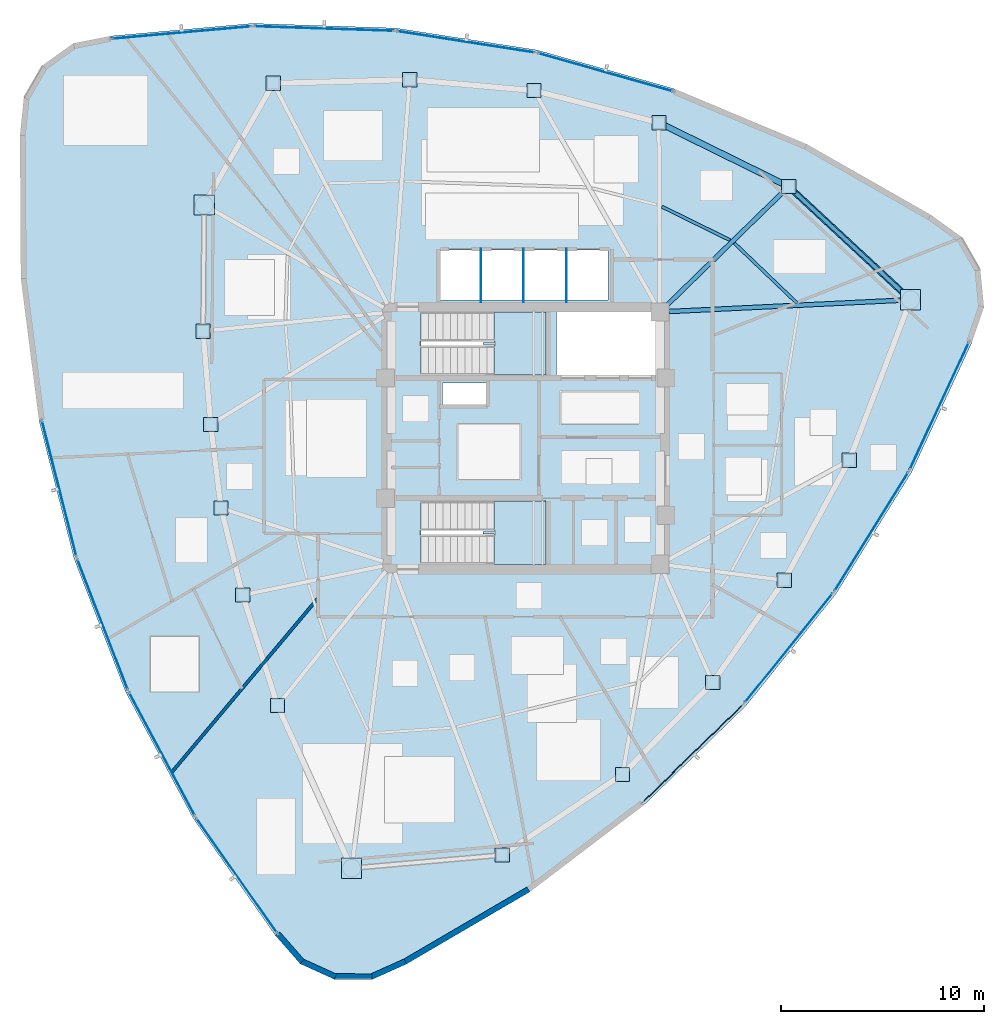
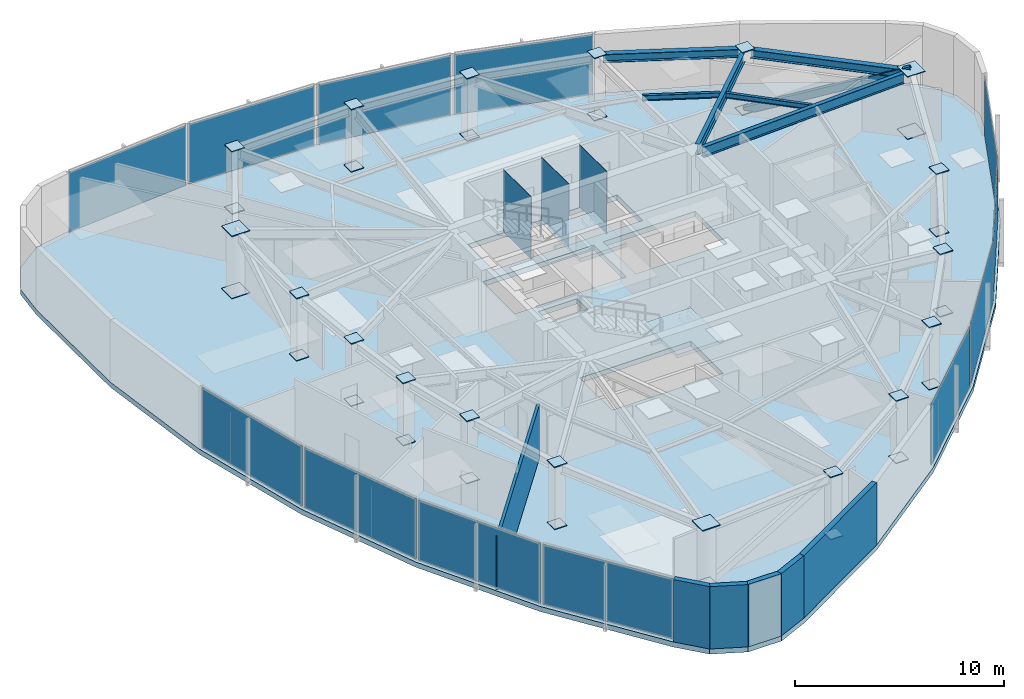
# One storey, part 7 of 13: 51 plates, 6 beams, 6 walls, 3 slabs, 1 member, 14 elements without a shape of their own.
"""IFC4 building model written with IfcOpenShell, lengths in metres."""

from ifc_helpers import new_model, si_unit, direction, frame, frame_2d, origin, origin_2d, place, context, subcontext, project, spatial, polyline, rectangle, hollow_rectangle, i_section, outline, extrude, source, transform, mapped, material, layer, layer_set, material_profile, profile_set, type_object, type_shapes, element, aggregate, save


model = new_model("IFC4")

# Units and contexts
model_context = context("Model", 3, precision=1e-05, world=origin(), true_north=direction((0.0, 1.0)))
body_context = subcontext(model_context, "Body", "Model", "MODEL_VIEW")
ifc_project = project(units=[si_unit("LENGTHUNIT", "METRE"), si_unit("AREAUNIT", "SQUARE_METRE"), si_unit("VOLUMEUNIT", "CUBIC_METRE"), si_unit("PLANEANGLEUNIT", "RADIAN"), si_unit("MASSUNIT", "GRAM", prefix="KILO")], contexts=[model_context])

# Site, building, storey
site_placement = place(None, origin())
site = spatial("IfcSite", under=ifc_project, at=site_placement, CompositionType="ELEMENT")
building_placement = place(site_placement, origin())
building = spatial("IfcBuilding", under=site, at=building_placement, Name="Tavelor Broadcast Tower", CompositionType="ELEMENT")
storey_placement = place(building_placement, frame((0.0, 0.0, 241.89990234375)))
storey = spatial("IfcBuildingStorey", under=building, at=storey_placement, Name="L57", CompositionType="ELEMENT", Elevation=241.89990234375)

# Beams
ifc_material_1 = material(Name="Steel S355", Category="steel")
ifc_material_profile_1 = material_profile(ifc_material_1, i_section(OverallWidth=0.14990234375, OverallDepth=0.300048828125, WebThickness=0.007080078125, FlangeThickness=0.0107421875, at=origin_2d()), Name="IPE 300")
ifc_profile_set_1 = profile_set([ifc_material_profile_1], Name="Steel S355")
beam_type_1 = type_object("IfcBeamType", Name="Composite Floor Joist T5 IPE 300", PredefinedType="JOIST", material=ifc_profile_set_1)
beam_1_placement = place(storey_placement, frame((63.3427734375, 51.629150390625, 3.5), z_axis=(-0.722407874214, 0.691467181632, 0.0), x_axis=(-0.691467181632, -0.722407874214, 0.0)))
element("IfcBeam", 1, at=beam_1_placement, inside=storey, type_object=beam_type_1, Name="L57 Secondary Composite Floor Joist 13", PredefinedType="JOIST", context=body_context, shape_type="SweptSolid", body=[
    extrude(i_section(OverallWidth=0.14990234375, OverallDepth=0.300048828125, WebThickness=0.007080078125, FlangeThickness=0.0107421875, at=origin_2d()), origin(), (0.0, 0.0, 1.0), 4.260986328125),
])
beam_2_placement = place(storey_placement, frame((60.038818359375, 54.7333984375, 3.5), z_axis=(-0.897394619692, 0.441228848272, 0.0), x_axis=(-0.441228848272, -0.897394619692, 0.0)))
element("IfcBeam", 2, at=beam_2_placement, inside=storey, type_object=beam_type_1, Name="L57 Secondary Composite Floor Joist 14", PredefinedType="JOIST", context=body_context, shape_type="SweptSolid", body=[
    extrude(i_section(OverallWidth=0.14990234375, OverallDepth=0.300048828125, WebThickness=0.007080078125, FlangeThickness=0.0107421875, at=origin_2d()), origin(), (0.0, 0.0, 1.0), 3.7265625),
])
ifc_material_profile_2 = material_profile(ifc_material_1, i_section(OverallWidth=0.300048828125, OverallDepth=0.489990234375, WebThickness=0.011962890625, FlangeThickness=0.02294921875, at=origin_2d()), Name="HEA 500")
ifc_profile_set_2 = profile_set([ifc_material_profile_2], Name="Steel S355")
beam_type_2 = type_object("IfcBeamType", Name="Perimeter Spandrel Beam T5 HEA 500", PredefinedType="SPANDREL", material=ifc_profile_set_2)
beam_3_placement = place(storey_placement, frame((68.59814453125, 52.09765625, 3.405029296875), z_axis=(-0.732770151307, 0.680476234231, 0.0), x_axis=(-0.680476234231, -0.732770151307, 0.0)))
element("IfcBeam", 3, at=beam_3_placement, inside=storey, type_object=beam_type_2, Name="L57 Framed-Tube Ring Spandrel 13", PredefinedType="SPANDREL", context=body_context, shape_type="SweptSolid", body=[
    extrude(i_section(OverallWidth=0.300048828125, OverallDepth=0.489990234375, WebThickness=0.011962890625, FlangeThickness=0.02294921875, at=origin_2d()), origin(), (0.0, 0.0, 1.0), 7.451171875),
])
beam_4_placement = place(storey_placement, frame((62.668701171875, 57.4912109375, 3.405029296875), z_axis=(-0.897262651787, 0.441497150284, 0.0), x_axis=(-0.441497150284, -0.897262651787, 0.0)))
element("IfcBeam", 4, at=beam_4_placement, inside=storey, type_object=beam_type_2, Name="L57 Framed-Tube Ring Spandrel 14", PredefinedType="SPANDREL", context=body_context, shape_type="SweptSolid", body=[
    extrude(i_section(OverallWidth=0.300048828125, OverallDepth=0.489990234375, WebThickness=0.011962890625, FlangeThickness=0.02294921875, at=origin_2d()), origin(), (0.0, 0.0, 1.0), 6.536376953125),
])

# Member
ifc_material_profile_3 = material_profile(ifc_material_1, hollow_rectangle(XDim=0.199951171875, YDim=0.39990234375, WallThickness=0.01611328125, at=origin_2d()), Name="RHS 400x200x16")
ifc_profile_set_3 = profile_set([ifc_material_profile_3], Name="Steel S355")
member_type = type_object("IfcMemberType", Name="Perimeter Tube Brace T5 RHS 400x200x16", PredefinedType="BRACE", material=ifc_profile_set_3)
member_placement = place(storey_placement, frame((62.92724609375, 57.364013671875, 0.0), z_axis=(0.669132570724, -0.621397751765, 0.407586109794), x_axis=(0.680486595916, 0.732760528944, 0.0)))
element("IfcMember", 5, at=member_placement, inside=storey, type_object=member_type, Name="L57 Corner Tube Diagonal Brace 3", PredefinedType="BRACE", context=body_context, shape_type="SweptSolid", body=[
    extrude(hollow_rectangle(XDim=0.199951171875, YDim=0.39990234375, WallThickness=0.01611328125, at=origin_2d()), origin(), (0.0, 0.0, 1.0), 8.95556640625),
])

# Beams
ifc_material_profile_4 = material_profile(ifc_material_1, i_section(OverallWidth=0.219970703125, OverallDepth=0.60009765625, WebThickness=0.011962890625, FlangeThickness=0.01904296875, at=origin_2d()), Name="IPE 600")
ifc_profile_set_4 = profile_set([ifc_material_profile_4], Name="Steel S355")
beam_type_3 = type_object("IfcBeamType", Name="Radial Floor Girder T5 IPE 600", PredefinedType="BEAM", material=ifc_profile_set_4)
beam_5_placement = place(storey_placement, frame((57.031494140625, 51.220947265625, 3.35009765625), z_axis=(0.998819342989, 0.048579008537, 0.0), x_axis=(-0.048579008537, 0.998819342989, 0.0)))
element("IfcBeam", 6, at=beam_5_placement, inside=storey, type_object=beam_type_3, Name="L57 Radial Primary Floor Girder 13", PredefinedType="BEAM", context=body_context, shape_type="SweptSolid", body=[
    extrude(i_section(OverallWidth=0.219970703125, OverallDepth=0.60009765625, WebThickness=0.011962890625, FlangeThickness=0.01904296875, at=origin_2d()), origin(), (0.0, 0.0, 1.0), 11.46337890625),
])
beam_6_placement = place(storey_placement, frame((56.909423828125, 51.50146484375, 3.35009765625), z_axis=(0.716299388852, 0.697793082175, 0.0), x_axis=(-0.697793082175, 0.716299388852, 0.0)))
element("IfcBeam", 7, at=beam_6_placement, inside=storey, type_object=beam_type_3, Name="L57 Radial Primary Floor Girder 14", PredefinedType="BEAM", context=body_context, shape_type="SweptSolid", body=[
    extrude(i_section(OverallWidth=0.219970703125, OverallDepth=0.60009765625, WebThickness=0.011962890625, FlangeThickness=0.01904296875, at=origin_2d()), origin(), (0.0, 0.0, 1.0), 8.11328125),
])

# Stair, slab
ifc_material_2 = material(Name="Concrete C40/50", Category="concrete")
stair_type = type_object("IfcStairType", Name="Reinforced Concrete Protected Dogleg Stair 1450 mm", PredefinedType="HALF_TURN_STAIR", material=ifc_material_2)
stair_1_placement = place(storey_placement, origin())
stair_1 = element("IfcStair", 8, at=stair_1_placement, inside=storey, type_object=stair_type, Name="L57 Protected Core Exit Stair ST1", PredefinedType="HALF_TURN_STAIR")
ifc_layer_1 = layer(ifc_material_2, 0.199951171875)
ifc_layer_set_1 = layer_set([ifc_layer_1], Name="Concrete C40/50")
slab_type_1 = type_object("IfcSlabType", Name="Reinforced Concrete Stair Half-Landing Slab 200 mm", PredefinedType="LANDING", material=ifc_layer_set_1)
slab_1_placement = place(storey_placement, frame((0.0, 0.0, 1.775146484375)))
slab_1 = element("IfcSlab", 9, at=slab_1_placement, type_object=slab_type_1, Name="ST1 landing 1", PredefinedType="LANDING", context=body_context, shape_type="SweptSolid", body=[
    extrude(outline(polyline([(48.445068359375, 49.590087890625), (48.445068359375, 48.094970703125), (51.0048828125, 48.094970703125), (51.0048828125, 51.205078125), (48.445068359375, 51.205078125), (48.445068359375, 49.7099609375), (47.905029296875, 49.7099609375), (47.905029296875, 49.590087890625), (48.445068359375, 49.590087890625)])), origin(), (0.0, 0.0, 1.0), 0.199951171875),
])
aggregate(stair_1, [slab_1])

stair_2_placement = place(storey_placement, origin())
stair_2 = element("IfcStair", 10, at=stair_2_placement, inside=storey, type_object=stair_type, Name="L57 Protected Core Exit Stair ST2", PredefinedType="HALF_TURN_STAIR")
slab_2_placement = place(storey_placement, frame((0.0, 0.0, 1.775146484375)))
slab_2 = element("IfcSlab", 11, at=slab_2_placement, type_object=slab_type_1, Name="ST2 landing 1", PredefinedType="LANDING", context=body_context, shape_type="SweptSolid", body=[
    extrude(outline(polyline([(48.445068359375, 40.2900390625), (48.445068359375, 38.794921875), (51.0048828125, 38.794921875), (51.0048828125, 41.905029296875), (48.445068359375, 41.905029296875), (48.445068359375, 40.409912109375), (47.905029296875, 40.409912109375), (47.905029296875, 40.2900390625), (48.445068359375, 40.2900390625)])), origin(), (0.0, 0.0, 1.0), 0.199951171875),
])
aggregate(stair_2, [slab_2])

# Slab
ifc_layer_2 = layer(ifc_material_2, 0.300048828125)
ifc_layer_set_2 = layer_set([ifc_layer_2], Name="Concrete C40/50")
slab_type_2 = type_object("IfcSlabType", Name="Tower Composite Floor Slab 300 mm", PredefinedType="FLOOR", material=ifc_layer_set_2)
slab_3_placement = place(storey_placement, frame((0.0, 0.0, -0.2998046875)))
element("IfcSlab", 12, at=slab_3_placement, inside=storey, type_object=slab_type_2, Name="L57 Structural Floor Slab", PredefinedType="FLOOR", context=body_context, shape_type="SweptSolid", body=[
    extrude(outline(polyline([(29.572021484375, 64.764892578125), (27.75927734375, 64.404296875), (26.255859375, 63.329833984375), (25.32763671875, 61.731689453125), (25.13916015625, 59.893310546875), (25.178955078125, 52.859375), (26.069580078125, 45.8818359375), (27.798095703125, 39.0634765625), (30.339111328125, 32.504150390625), (33.65478515625, 26.300537109375), (37.697265625, 20.5439453125), (38.915771484375, 19.154541015625), (40.597900390625, 18.3896484375), (42.446044921875, 18.384765625), (44.13232421875, 19.140869140625), (50.2041015625, 22.6923828125), (55.801513671875, 26.952392578125), (60.84228515625, 31.858642578125), (65.252197265625, 37.338623046875), (68.966796875, 43.31201171875), (71.930908203125, 49.691162109375), (72.52490234375, 51.441162109375), (72.34619140625, 53.280517578125), (71.426513671875, 54.88330078125), (69.928466796875, 55.9658203125), (63.81689453125, 59.4482421875), (57.328857421875, 62.165771484375), (50.559814453125, 64.078125), (43.60888671875, 65.1572265625), (36.578369140625, 65.38720703125), (29.572021484375, 64.764892578125)]), holes=[polyline([(50.99609375, 41.89599609375), (50.99609375, 38.803955078125), (44.85400390625, 38.803955078125), (44.85400390625, 41.89599609375), (50.99609375, 41.89599609375)]), polyline([(48.050048828125, 47.699951171875), (48.050048828125, 46.64990234375), (45.89990234375, 46.64990234375), (45.89990234375, 47.699951171875), (48.050048828125, 47.699951171875)]), polyline([(50.99609375, 51.196044921875), (50.99609375, 48.10400390625), (44.85400390625, 48.10400390625), (44.85400390625, 51.196044921875), (50.99609375, 51.196044921875)]), polyline([(56.60009765625, 48.10009765625), (51.52001953125, 48.10009765625), (51.52001953125, 51.199951171875), (56.60009765625, 51.199951171875), (56.60009765625, 48.10009765625)]), polyline([(54.050048828125, 51.800048828125), (45.800048828125, 51.800048828125), (45.800048828125, 54.25), (54.050048828125, 54.25), (54.050048828125, 51.800048828125)])]), origin(), (0.0, 0.0, 1.0), 0.2998046875),
])

# Plates
ifc_material_3 = material(Name="Steel S460", Category="steel")
ifc_layer_3 = layer(ifc_material_3, 0.050048828125)
ifc_layer_set_3 = layer_set([ifc_layer_3], Name="Steel S460")
plate_type_1 = type_object("IfcPlateType", Name="Tube Hollow-End Cap Plate KN05 700x700x50", PredefinedType="USERDEFINED", material=ifc_layer_set_3)
shared_shape_1 = source(origin(), body_context, "Body", "SweptSolid", [
    extrude(rectangle(XDim=0.699951171875, YDim=0.699951171875, at=origin_2d()), origin(), (0.0, 0.0, 1.0), 0.054931640625),
])
for number, where, z_axis, x_axis, name in (
    (13, (34.13720703125, 50.255859375, -0.02734375), (0.0, 0.0, 1.0), (1.0, 0.0, 0.0), "L57 Hollow End Cap Plate KN05 #1671"),
    (14, (34.13720703125, 50.255859375, 3.62255859375), (0.0, 0.0, 1.0), (1.0, 0.0, 0.0), "L57 Hollow End Cap Plate KN05 #1672"),
    (15, (34.513671875, 45.66455078125, -0.02734375), (0.0, 0.0, 1.0), (1.0, 0.0, 0.0), "L57 Hollow End Cap Plate KN05 #1673"),
    (16, (34.513671875, 45.66455078125, 3.62255859375), (0.0, 0.0, 1.0), (1.0, 0.0, 0.0), "L57 Hollow End Cap Plate KN05 #1674"),
    (17, (35.018798828125, 41.56396484375, -0.02734375), (0.0, 0.0, 1.0), (1.0, 0.0, 0.0), "L57 Hollow End Cap Plate KN05 #1675"),
    (18, (35.018798828125, 41.56396484375, 3.62255859375), (0.0, 0.0, 1.0), (1.0, 0.0, 0.0), "L57 Hollow End Cap Plate KN05 #1676"),
    (19, (36.08349609375, 37.2822265625, -0.02734375), (0.0, 0.0, 1.0), (1.0, 0.0, 0.0), "L57 Hollow End Cap Plate KN05 #1677"),
    (20, (36.08349609375, 37.2822265625, 3.62255859375), (0.0, 0.0, 1.0), (1.0, 0.0, 0.0), "L57 Hollow End Cap Plate KN05 #1678"),
    (21, (37.797119140625, 31.853271484375, -0.02734375), (0.0, 0.0, 1.0), (1.0, 0.0, 0.0), "L57 Hollow End Cap Plate KN05 #1679"),
    (22, (37.797119140625, 31.853271484375, 3.62255859375), (0.0, 0.0, 1.0), (1.0, 0.0, 0.0), "L57 Hollow End Cap Plate KN05 #1680"),
    (23, (48.843994140625, 24.5048828125, -0.02734375), (0.0, 0.0, 1.0), (1.0, 0.0, 0.0), "L57 Hollow End Cap Plate KN05 #1683"),
    (24, (48.843994140625, 24.5048828125, 3.62255859375), (0.0, 0.0, 1.0), (1.0, 0.0, 0.0), "L57 Hollow End Cap Plate KN05 #1684"),
    (25, (54.754150390625, 28.461669921875, -0.02734375), (0.0, 0.0, 1.0), (1.0, 0.0, 0.0), "L57 Hollow End Cap Plate KN05 #1685"),
    (26, (54.754150390625, 28.461669921875, 3.62255859375), (0.0, 0.0, 1.0), (1.0, 0.0, 0.0), "L57 Hollow End Cap Plate KN05 #1686"),
    (27, (59.1923828125, 32.987060546875, -0.02734375), (0.0, 0.0, 1.0), (1.0, 0.0, 0.0), "L57 Hollow End Cap Plate KN05 #1687"),
    (28, (59.1923828125, 32.987060546875, 3.62255859375), (0.0, 0.0, 1.0), (1.0, 0.0, 0.0), "L57 Hollow End Cap Plate KN05 #1688"),
    (29, (62.7109375, 38.009033203125, -0.02734375), (0.0, 0.0, 1.0), (1.0, 0.0, 0.0), "L57 Hollow End Cap Plate KN05 #1689"),
    (30, (62.7109375, 38.009033203125, 3.62255859375), (0.0, 0.0, 1.0), (1.0, 0.0, 0.0), "L57 Hollow End Cap Plate KN05 #1690"),
    (31, (65.9072265625, 43.909423828125, -0.02734375), (0.0, 0.0, 1.0), (1.0, 0.0, 0.0), "L57 Hollow End Cap Plate KN05 #1691"),
    (32, (65.9072265625, 43.909423828125, 3.62255859375), (0.0, 0.0, 1.0), (1.0, 0.0, 0.0), "L57 Hollow End Cap Plate KN05 #1692"),
    (33, (62.92724609375, 57.364013671875, -0.02734375), (0.0, 0.0, 1.0), (1.0, 0.0, 0.0), "L57 Hollow End Cap Plate KN05 #1695"),
    (34, (62.92724609375, 57.364013671875, 3.62255859375), (0.0, 0.0, 1.0), (1.0, 0.0, 0.0), "L57 Hollow End Cap Plate KN05 #1696"),
    (35, (56.545654296875, 60.504150390625, -0.02734375), (0.0, 0.0, 1.0), (1.0, 0.0, 0.0), "L57 Hollow End Cap Plate KN05 #1697"),
    (36, (56.545654296875, 60.504150390625, 3.62255859375), (0.0, 0.0, 1.0), (1.0, 0.0, 0.0), "L57 Hollow End Cap Plate KN05 #1698"),
    (37, (50.4072265625, 62.0849609375, -0.02734375), (0.0, 0.0, 1.0), (1.0, 0.0, 0.0), "L57 Hollow End Cap Plate KN05 #1699"),
    (38, (50.4072265625, 62.0849609375, 3.62255859375), (0.0, 0.0, 1.0), (1.0, 0.0, 0.0), "L57 Hollow End Cap Plate KN05 #1700"),
    (39, (44.298828125, 62.621337890625, -0.02734375), (0.0, 0.0, 1.0), (1.0, 0.0, 0.0), "L57 Hollow End Cap Plate KN05 #1701"),
    (40, (44.298828125, 62.621337890625, 3.62255859375), (0.0, 0.0, 1.0), (1.0, 0.0, 0.0), "L57 Hollow End Cap Plate KN05 #1702"),
    (41, (37.5908203125, 62.439208984375, -0.02734375), (0.0, 0.0, 1.0), (1.0, 0.0, 0.0), "L57 Hollow End Cap Plate KN05 #1703"),
    (42, (37.5908203125, 62.439208984375, 3.62255859375), (0.0, 0.0, 1.0), (1.0, 0.0, 0.0), "L57 Hollow End Cap Plate KN05 #1704"),
):
    element("IfcPlate", number, at=place(storey_placement, frame(where, z_axis=z_axis, x_axis=x_axis)), inside=storey, type_object=plate_type_1, Name=name, ObjectType="CAP PLATE", PredefinedType="USERDEFINED", context=body_context, shape_type="MappedRepresentation", body=[
        mapped(shared_shape_1, transform((0.0, 0.0, 0.0), scale=1.0)),
    ])
shared_shape_2 = source(origin(), body_context, "Body", "SweptSolid", [
    extrude(rectangle(XDim=0.993896484375, YDim=0.993896484375, at=origin_2d()), origin(), (0.0, 0.0, 1.0), 0.054931640625),
])
type_shapes(plate_type_1, [shared_shape_1, shared_shape_2])
for number, where, z_axis, x_axis, name in (
    (43, (34.1962890625, 56.4599609375, -0.02734375), (0.0, 0.0, 1.0), (1.0, 0.0, 0.0), "L57 Hollow End Cap Plate KN05 #1669"),
    (44, (34.1962890625, 56.4599609375, 3.62255859375), (0.0, 0.0, 1.0), (1.0, 0.0, 0.0), "L57 Hollow End Cap Plate KN05 #1670"),
    (45, (41.440185546875, 23.853759765625, -0.02734375), (0.0, 0.0, 1.0), (1.0, 0.0, 0.0), "L57 Hollow End Cap Plate KN05 #1681"),
    (46, (41.440185546875, 23.853759765625, 3.62255859375), (0.0, 0.0, 1.0), (1.0, 0.0, 0.0), "L57 Hollow End Cap Plate KN05 #1682"),
    (47, (68.919677734375, 51.799072265625, -0.02734375), (0.0, 0.0, 1.0), (1.0, 0.0, 0.0), "L57 Hollow End Cap Plate KN05 #1693"),
    (48, (68.919677734375, 51.799072265625, 3.62255859375), (0.0, 0.0, 1.0), (1.0, 0.0, 0.0), "L57 Hollow End Cap Plate KN05 #1694"),
):
    element("IfcPlate", number, at=place(storey_placement, frame(where, z_axis=z_axis, x_axis=x_axis)), inside=storey, type_object=plate_type_1, Name=name, ObjectType="CAP PLATE", PredefinedType="USERDEFINED", context=body_context, shape_type="MappedRepresentation", body=[
        mapped(shared_shape_2, transform((0.0, 0.0, 0.0), scale=1.0)),
    ])
ifc_layer_4 = layer(ifc_material_1, 0.011962890625)
ifc_layer_set_4 = layer_set([ifc_layer_4], Name="Steel S355")
plate_type_2 = type_object("IfcPlateType", Name="Hoistway Steel Separator Screen 12 mm", PredefinedType="SHEET", material=ifc_layer_set_4)
shared_shape_3 = source(origin(), body_context, "Body", "SweptSolid", [
    extrude(rectangle(XDim=0.02001953125, YDim=2.6201171875, at=origin_2d()), origin(), (0.0, 0.0, 1.0), 3.64990234375),
])
type_shapes(plate_type_2, [shared_shape_3])
for number, where, z_axis, x_axis, name in (
    (49, (47.800048828125, 52.989990234375, 0.000244140625), (0.0, 0.0, 1.0), (1.0, 0.0, 0.0), "L57 High-Rise Hoistway Separator Screen 1"),
    (50, (49.89990234375, 52.989990234375, 0.000244140625), (0.0, 0.0, 1.0), (1.0, 0.0, 0.0), "L57 High-Rise Hoistway Separator Screen 2"),
    (51, (52.0, 52.989990234375, 0.000244140625), (0.0, 0.0, 1.0), (1.0, 0.0, 0.0), "L57 High-Rise Hoistway Separator Screen 3"),
):
    element("IfcPlate", number, at=place(storey_placement, frame(where, z_axis=z_axis, x_axis=x_axis)), inside=storey, type_object=plate_type_2, Name=name, PredefinedType="SHEET", context=body_context, shape_type="MappedRepresentation", body=[
        mapped(shared_shape_3, transform((0.0, 0.0, 0.0), scale=1.0)),
    ])

# Curtain wall, plate
ifc_material_4 = material(Name="Architectural Anodized Aluminium", Category="aluminium")
ifc_layer_5 = layer(ifc_material_4, 0.199951171875)
ifc_layer_set_5 = layer_set([ifc_layer_5], Name="Architectural Anodized Aluminium")
curtain_wall_type = type_object("IfcCurtainWallType", Name="Tower High-Zone Triple-Glazed Curtain Wall CW04", PredefinedType="NOTDEFINED", material=ifc_layer_set_5)
curtain_wall_1_placement = place(storey_placement, origin())
curtain_wall_1 = element("IfcCurtainWall", 52, at=curtain_wall_1_placement, inside=storey, type_object=curtain_wall_type, Name="L57 Curtain Wall CW04 Run 613", PredefinedType="NOTDEFINED")
ifc_material_5 = material(Name="High-Altitude Triple Glazing 36 mm", Category="glass")
ifc_layer_6 = layer(ifc_material_5, 0.035888671875)
ifc_layer_set_6 = layer_set([ifc_layer_6], Name="High-Altitude Triple Glazing 36 mm")
plate_type_3 = type_object("IfcPlateType", Name="CW04 Insulated Vision Glazing Panel 36 mm", PredefinedType="CURTAIN_PANEL", material=ifc_layer_set_6)
shared_shape_4 = source(origin(), body_context, "Body", "SweptSolid", [
    extrude(rectangle(XDim=6.862060546875, YDim=0.035888671875, at=origin_2d()), origin(), (0.0, 0.0, 1.0), 3.510009765625),
])
plate_1_placement = place(storey_placement, frame((27.067626953125, 42.514404296875, 0.0703125), z_axis=(0.0, 0.0, 1.0), x_axis=(0.245726636183, -0.969339166789, 0.0)))
plate_1 = element("IfcPlate", 53, at=plate_1_placement, type_object=plate_type_3, Name="CW04 panel 1.1", PredefinedType="CURTAIN_PANEL", context=body_context, shape_type="MappedRepresentation", body=[
    mapped(shared_shape_4, transform((0.0, 0.0, 0.0), scale=1.0)),
])
aggregate(curtain_wall_1, [plate_1])

curtain_wall_2_placement = place(storey_placement, origin())
curtain_wall_2 = element("IfcCurtainWall", 54, at=curtain_wall_2_placement, inside=storey, type_object=curtain_wall_type, Name="L57 Curtain Wall CW04 Run 617", PredefinedType="NOTDEFINED")
plate_2_placement = place(storey_placement, frame((58.21875, 29.50048828125, 0.0703125), z_axis=(0.0, 0.0, 1.0), x_axis=(0.716610555502, 0.69747352046, 0.0)))
plate_2 = element("IfcPlate", 55, at=plate_2_placement, type_object=plate_type_3, Name="CW04 panel 1.1", PredefinedType="CURTAIN_PANEL", context=body_context, shape_type="MappedRepresentation", body=[
    mapped(shared_shape_4, transform((0.0, 0.0, 0.0), scale=1.0)),
])
aggregate(curtain_wall_2, [plate_2])

curtain_wall_3_placement = place(storey_placement, origin())
curtain_wall_3 = element("IfcCurtainWall", 56, at=curtain_wall_3_placement, inside=storey, type_object=curtain_wall_type, Name="L57 Curtain Wall CW04 Run 621", PredefinedType="NOTDEFINED")
plate_3_placement = place(storey_placement, frame((53.91357421875, 62.985107421875, 0.0703125), z_axis=(0.0, 0.0, 1.0), x_axis=(-0.962332962122, 0.271873628758, 0.0)))
plate_3 = element("IfcPlate", 57, at=plate_3_placement, type_object=plate_type_3, Name="CW04 panel 1.1", PredefinedType="CURTAIN_PANEL", context=body_context, shape_type="MappedRepresentation", body=[
    mapped(shared_shape_4, transform((0.0, 0.0, 0.0), scale=1.0)),
])
aggregate(curtain_wall_3, [plate_3])

curtain_wall_4_placement = place(storey_placement, origin())
curtain_wall_4 = element("IfcCurtainWall", 58, at=curtain_wall_4_placement, inside=storey, type_object=curtain_wall_type, Name="L57 Curtain Wall CW04 Run 614", PredefinedType="NOTDEFINED")
shared_shape_5 = source(origin(), body_context, "Body", "SweptSolid", [
    extrude(rectangle(XDim=6.84716796875, YDim=0.035888671875, at=origin_2d()), origin(), (0.0, 0.0, 1.0), 3.510009765625),
])
plate_4_placement = place(storey_placement, frame((29.19921875, 35.83447265625, 0.0703125), z_axis=(0.0, 0.0, 1.0), x_axis=(0.361231784566, -0.932476057505, 0.0)))
plate_4 = element("IfcPlate", 59, at=plate_4_placement, type_object=plate_type_3, Name="CW04 panel 1.1", PredefinedType="CURTAIN_PANEL", context=body_context, shape_type="MappedRepresentation", body=[
    mapped(shared_shape_5, transform((0.0, 0.0, 0.0), scale=1.0)),
])
aggregate(curtain_wall_4, [plate_4])

curtain_wall_5_placement = place(storey_placement, origin())
curtain_wall_5 = element("IfcCurtainWall", 60, at=curtain_wall_5_placement, inside=storey, type_object=curtain_wall_type, Name="L57 Curtain Wall CW04 Run 615", PredefinedType="NOTDEFINED")
plate_5_placement = place(storey_placement, frame((32.120361328125, 29.468505859375, 0.0703125), z_axis=(0.0, 0.0, 1.0), x_axis=(0.471400686057, -0.881919153429, 0.0)))
plate_5 = element("IfcPlate", 61, at=plate_5_placement, type_object=plate_type_3, Name="CW04 panel 1.1", PredefinedType="CURTAIN_PANEL", context=body_context, shape_type="MappedRepresentation", body=[
    mapped(shared_shape_5, transform((0.0, 0.0, 0.0), scale=1.0)),
])
aggregate(curtain_wall_5, [plate_5])

curtain_wall_6_placement = place(storey_placement, origin())
curtain_wall_6 = element("IfcCurtainWall", 62, at=curtain_wall_6_placement, inside=storey, type_object=curtain_wall_type, Name="L57 Curtain Wall CW04 Run 618", PredefinedType="NOTDEFINED")
plate_6_placement = place(storey_placement, frame((62.938232421875, 34.6865234375, 0.0703125), z_axis=(0.0, 0.0, 1.0), x_axis=(0.626935259198, 0.779071357947, 0.0)))
plate_6 = element("IfcPlate", 63, at=plate_6_placement, type_object=plate_type_3, Name="CW04 panel 1.1", PredefinedType="CURTAIN_PANEL", context=body_context, shape_type="MappedRepresentation", body=[
    mapped(shared_shape_5, transform((0.0, 0.0, 0.0), scale=1.0)),
])
aggregate(curtain_wall_6, [plate_6])

curtain_wall_7_placement = place(storey_placement, origin())
curtain_wall_7 = element("IfcCurtainWall", 64, at=curtain_wall_7_placement, inside=storey, type_object=curtain_wall_type, Name="L57 Curtain Wall CW04 Run 619", PredefinedType="NOTDEFINED")
plate_7_placement = place(storey_placement, frame((66.990478515625, 40.3994140625, 0.0703125), z_axis=(0.0, 0.0, 1.0), x_axis=(0.528069150781, 0.849201373052, 0.0)))
plate_7 = element("IfcPlate", 65, at=plate_7_placement, type_object=plate_type_3, Name="CW04 panel 1.1", PredefinedType="CURTAIN_PANEL", context=body_context, shape_type="MappedRepresentation", body=[
    mapped(shared_shape_5, transform((0.0, 0.0, 0.0), scale=1.0)),
])
aggregate(curtain_wall_7, [plate_7])

curtain_wall_8_placement = place(storey_placement, origin())
curtain_wall_8 = element("IfcCurtainWall", 66, at=curtain_wall_8_placement, inside=storey, type_object=curtain_wall_type, Name="L57 Curtain Wall CW04 Run 622", PredefinedType="NOTDEFINED")
plate_8_placement = place(storey_placement, frame((47.062744140625, 64.479248046875, 0.0703125), z_axis=(0.0, 0.0, 1.0), x_axis=(-0.98816279609, 0.153408892908, 0.0)))
plate_8 = element("IfcPlate", 67, at=plate_8_placement, type_object=plate_type_3, Name="CW04 panel 1.1", PredefinedType="CURTAIN_PANEL", context=body_context, shape_type="MappedRepresentation", body=[
    mapped(shared_shape_5, transform((0.0, 0.0, 0.0), scale=1.0)),
])
aggregate(curtain_wall_8, [plate_8])

curtain_wall_9_placement = place(storey_placement, origin())
curtain_wall_9 = element("IfcCurtainWall", 68, at=curtain_wall_9_placement, inside=storey, type_object=curtain_wall_type, Name="L57 Curtain Wall CW04 Run 623", PredefinedType="NOTDEFINED")
plate_9_placement = place(storey_placement, frame((40.089111328125, 65.13232421875, 0.0703125), z_axis=(0.0, 0.0, 1.0), x_axis=(-0.99946511549, 0.032702949695, 0.0)))
plate_9 = element("IfcPlate", 69, at=plate_9_placement, type_object=plate_type_3, Name="CW04 panel 1.1", PredefinedType="CURTAIN_PANEL", context=body_context, shape_type="MappedRepresentation", body=[
    mapped(shared_shape_5, transform((0.0, 0.0, 0.0), scale=1.0)),
])
aggregate(curtain_wall_9, [plate_9])

curtain_wall_10_placement = place(storey_placement, origin())
curtain_wall_10 = element("IfcCurtainWall", 70, at=curtain_wall_10_placement, inside=storey, type_object=curtain_wall_type, Name="L57 Curtain Wall CW04 Run 616", PredefinedType="NOTDEFINED")
shared_shape_6 = source(origin(), body_context, "Body", "SweptSolid", [
    extrude(rectangle(XDim=6.863037109375, YDim=0.035888671875, at=origin_2d()), origin(), (0.0, 0.0, 1.0), 3.510009765625),
])
type_shapes(plate_type_3, [shared_shape_4, shared_shape_5, shared_shape_6])
plate_10_placement = place(storey_placement, frame((35.795166015625, 23.49609375, 0.0703125), z_axis=(0.0, 0.0, 1.0), x_axis=(0.574665422692, -0.818388448087, 0.0)))
plate_10 = element("IfcPlate", 71, at=plate_10_placement, type_object=plate_type_3, Name="CW04 panel 1.1", PredefinedType="CURTAIN_PANEL", context=body_context, shape_type="MappedRepresentation", body=[
    mapped(shared_shape_6, transform((0.0, 0.0, 0.0), scale=1.0)),
])
aggregate(curtain_wall_10, [plate_10])

curtain_wall_11_placement = place(storey_placement, origin())
curtain_wall_11 = element("IfcCurtainWall", 72, at=curtain_wall_11_placement, inside=storey, type_object=curtain_wall_type, Name="L57 Curtain Wall CW04 Run 620", PredefinedType="NOTDEFINED")
plate_11_placement = place(storey_placement, frame((70.3251953125, 46.56787109375, 0.0703125), z_axis=(0.0, 0.0, 1.0), x_axis=(0.421412933109, 0.906868865828, 0.0)))
plate_11 = element("IfcPlate", 73, at=plate_11_placement, type_object=plate_type_3, Name="CW04 panel 1.1", PredefinedType="CURTAIN_PANEL", context=body_context, shape_type="MappedRepresentation", body=[
    mapped(shared_shape_6, transform((0.0, 0.0, 0.0), scale=1.0)),
])
aggregate(curtain_wall_11, [plate_11])

curtain_wall_12_placement = place(storey_placement, origin())
curtain_wall_12 = element("IfcCurtainWall", 74, at=curtain_wall_12_placement, inside=storey, type_object=curtain_wall_type, Name="L57 Curtain Wall CW04 Run 624", PredefinedType="NOTDEFINED")
plate_12_placement = place(storey_placement, frame((33.07958984375, 64.935791015625, 0.0703125), z_axis=(0.0, 0.0, 1.0), x_axis=(-0.996077089082, -0.088489731644, 0.0)))
plate_12 = element("IfcPlate", 75, at=plate_12_placement, type_object=plate_type_3, Name="CW04 panel 1.1", PredefinedType="CURTAIN_PANEL", context=body_context, shape_type="MappedRepresentation", body=[
    mapped(shared_shape_6, transform((0.0, 0.0, 0.0), scale=1.0)),
])
aggregate(curtain_wall_12, [plate_12])

# Walls
ifc_material_6 = material(Name="Precast Concrete C40/50", Category="concrete")
ifc_layer_7 = layer(ifc_material_6, 0.280029296875)
ifc_layer_set_7 = layer_set([ifc_layer_7], Name="Precast Concrete C40/50")
wall_type_1 = type_object("IfcWallType", Name="Insulated Precast Terracotta Facade Wall 280 mm", PredefinedType="STANDARD", material=ifc_layer_set_7)
wall_1_placement = place(storey_placement, frame((37.8046875, 20.633544921875, 0.0), z_axis=(0.0, 0.0, 1.0), x_axis=(0.659420616348, -0.751774201961, 0.0)))
element("IfcWall", 76, at=wall_1_placement, inside=storey, type_object=wall_type_1, Name="L57 Rounded Corner Structural Cladding Pier 11", PredefinedType="STANDARD", context=body_context, shape_type="SweptSolid", body=[
    extrude(rectangle(XDim=1.829345703125, YDim=0.280029296875, at=frame_2d((0.91455078125, 0.0))), origin(), (0.0, 0.0, 1.0), 3.650146484375),
])
wall_2_placement = place(storey_placement, frame((38.9873046875, 19.27587890625, 0.0), z_axis=(0.0, 0.0, 1.0), x_axis=(0.910311276015, -0.41392436599, 0.0)))
element("IfcWall", 77, at=wall_2_placement, inside=storey, type_object=wall_type_1, Name="L57 Rounded Corner Structural Cladding Pier 12", PredefinedType="STANDARD", context=body_context, shape_type="SweptSolid", body=[
    extrude(rectangle(XDim=1.81787109375, YDim=0.280029296875, at=frame_2d((0.908935546875, 0.0))), origin(), (0.0, 0.0, 1.0), 3.650146484375),
])
wall_3_placement = place(storey_placement, frame((40.613525390625, 18.52978515625, 0.0), z_axis=(0.0, 0.0, 1.0), x_axis=(0.999996391737, -0.002686356996, 0.0)))
element("IfcWall", 78, at=wall_3_placement, inside=storey, type_object=wall_type_1, Name="L57 Rounded Corner Structural Cladding Pier 13", PredefinedType="STANDARD", context=body_context, shape_type="SweptSolid", body=[
    extrude(rectangle(XDim=1.817626953125, YDim=0.280029296875, at=frame_2d((0.90869140625, 0.0))), origin(), (0.0, 0.0, 1.0), 3.650146484375),
])
wall_4_placement = place(storey_placement, frame((42.402587890625, 18.518798828125, 0.0), z_axis=(0.0, 0.0, 1.0), x_axis=(0.912471754065, 0.409139704788, 0.0)))
element("IfcWall", 79, at=wall_4_placement, inside=storey, type_object=wall_type_1, Name="L57 Rounded Corner Structural Cladding Pier 14", PredefinedType="STANDARD", context=body_context, shape_type="SweptSolid", body=[
    extrude(rectangle(XDim=1.84033203125, YDim=0.280029296875, at=frame_2d((0.920166015625, 0.0))), origin(), (0.0, 0.0, 1.0), 3.650146484375),
])
wall_5_placement = place(storey_placement, frame((44.05517578125, 19.258056640625, 0.0), z_axis=(0.0, 0.0, 1.0), x_axis=(0.863191590825, 0.504876497302, 0.0)))
element("IfcWall", 80, at=wall_5_placement, inside=storey, type_object=wall_type_1, Name="L57 Rounded Corner Structural Cladding Pier 15", PredefinedType="STANDARD", context=body_context, shape_type="SweptSolid", body=[
    extrude(rectangle(XDim=7.0478515625, YDim=0.280029296875, at=frame_2d((3.52392578125, 0.0))), origin(), (0.0, 0.0, 1.0), 3.650146484375),
])
ifc_material_7 = material(Name="Gypsum Acoustic Plasterboard 150 mm", Category="gypsum")
ifc_layer_8 = layer(ifc_material_7, 0.14990234375)
ifc_layer_set_8 = layer_set([ifc_layer_8], Name="Gypsum Acoustic Plasterboard 150 mm")
wall_type_2 = type_object("IfcWallType", Name="Interior Acoustic Partition Wall 150 mm", PredefinedType="PARTITIONING", material=ifc_layer_set_8)
wall_6_placement = place(storey_placement, frame((39.800048828125, 37.143798828125, 0.0), z_axis=(0.0, 0.0, 1.0), x_axis=(-0.643250336072, -0.765655931305, 0.0)))
element("IfcWall", 81, at=wall_6_placement, inside=storey, type_object=wall_type_2, Name="L57 Radial Compartment Wall 06", PredefinedType="PARTITIONING", context=body_context, shape_type="SweptSolid", body=[
    extrude(rectangle(XDim=11.205322265625, YDim=0.14990234375, at=frame_2d((5.6025390625, 0.0))), origin(), (0.0, 0.0, 1.0), 3.135009765625),
])

save(model, "model.ifc")
